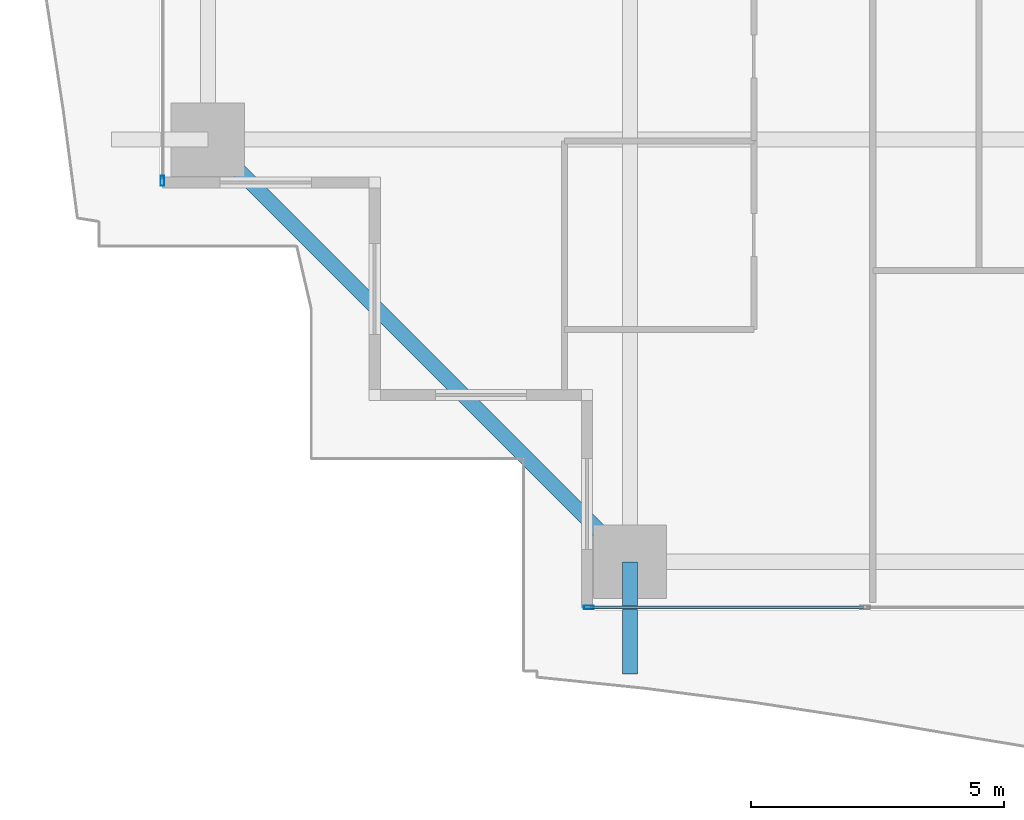
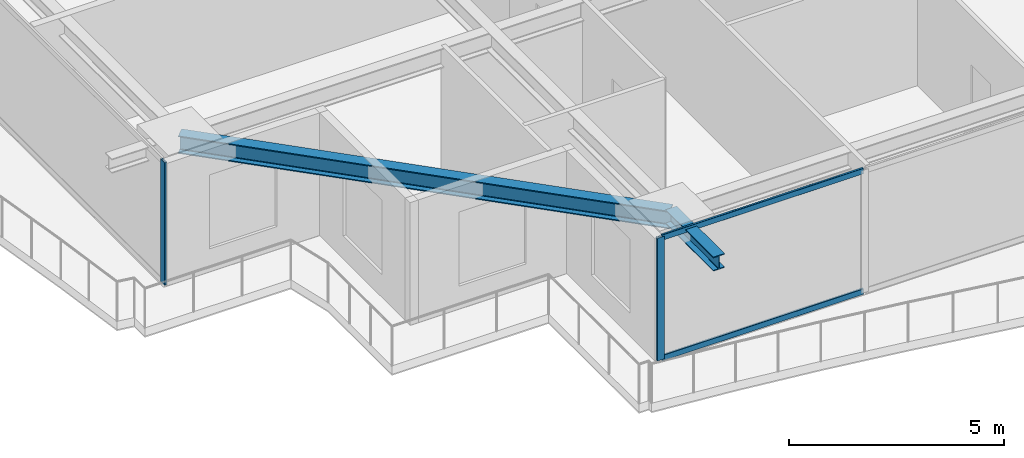
# One storey, part 2 of 39: 4 members, 2 beams, 2 elements without a shape of their own.
"""IFC4 building model written with IfcOpenShell, lengths in metres."""

from ifc_helpers import new_model, si_unit, direction, frame, origin, origin_2d, place, context, subcontext, project, spatial, hollow_rectangle, i_section, extrude, source, transform, mapped, material, layer, layer_set, material_profile, profile_set, type_object, element, aggregate, save


model = new_model("IFC4")

# Units and contexts
model_context = context("Model", 3, precision=1e-05, world=origin(), true_north=direction((0.0, 1.0)))
body_context = subcontext(model_context, "Body", "Model", "MODEL_VIEW")
ifc_project = project(units=[si_unit("LENGTHUNIT", "METRE"), si_unit("AREAUNIT", "SQUARE_METRE"), si_unit("VOLUMEUNIT", "CUBIC_METRE"), si_unit("PLANEANGLEUNIT", "RADIAN"), si_unit("MASSUNIT", "GRAM", prefix="KILO")], contexts=[model_context])

# Site, building, storey
site_placement = place(None, origin())
site = spatial("IfcSite", under=ifc_project, at=site_placement, CompositionType="ELEMENT")
building_placement = place(site_placement, origin())
building = spatial("IfcBuilding", under=site, at=building_placement, Name="Serunith Strait Residences", CompositionType="ELEMENT")
storey_placement = place(building_placement, frame((0.0, 0.0, 60.449951171875)))
storey = spatial("IfcBuildingStorey", under=building, at=storey_placement, Name="L14", CompositionType="ELEMENT", Elevation=60.449951171875)

# Beams
ifc_material_1 = material(Name="Steel S355J2", Category="steel")
ifc_material_profile_1 = material_profile(ifc_material_1, i_section(OverallWidth=0.300048828125, OverallDepth=0.5, WebThickness=0.014404296875, FlangeThickness=0.028076171875, FilletRadius=0.027099609375, at=origin_2d()), Name="HEB 500")
ifc_profile_set_1 = profile_set([ifc_material_profile_1], Name="Steel S355J2")
beam_type_1 = type_object("IfcBeamType", Name="BM-HEB500", PredefinedType="BEAM", material=ifc_profile_set_1)
shared_shape_1 = source(origin(), body_context, "Body", "SweptSolid", [
    extrude(i_section(OverallWidth=0.300048828125, OverallDepth=0.5, WebThickness=0.014404296875, FlangeThickness=0.028076171875, FilletRadius=0.027099609375, at=origin_2d()), origin(), (0.0, 0.0, 1.0), 11.80859375),
])
beam_1_placement = place(storey_placement, frame((6.89990234375, 9.449951171875, 3.20703125), z_axis=(0.707117118476, -0.707096443746, 0.0), x_axis=(0.707096443746, 0.707117118476, 0.0)))
element("IfcBeam", 1, at=beam_1_placement, inside=storey, type_object=beam_type_1, Name="L14 Perimeter Ring Beam 16", PredefinedType="BEAM", context=body_context, shape_type="MappedRepresentation", body=[
    mapped(shared_shape_1, transform((0.0, 0.0, 0.0), scale=1.0)),
])
ifc_material_profile_2 = material_profile(ifc_material_1, i_section(OverallWidth=0.300048828125, OverallDepth=0.39990234375, WebThickness=0.013427734375, FlangeThickness=0.02392578125, FilletRadius=0.027099609375, at=origin_2d()), Name="HEB 400")
ifc_profile_set_2 = profile_set([ifc_material_profile_2], Name="Steel S355J2")
beam_type_2 = type_object("IfcBeamType", Name="BM-HEB400", PredefinedType="BEAM", material=ifc_profile_set_2)
shared_shape_2 = source(origin(), body_context, "Body", "SweptSolid", [
    extrude(i_section(OverallWidth=0.300048828125, OverallDepth=0.39990234375, WebThickness=0.013427734375, FlangeThickness=0.02392578125, FilletRadius=0.027099609375, at=origin_2d()), origin(), (0.0, 0.0, 1.0), 2.21826171875),
])
beam_2_placement = place(storey_placement, frame((15.25, 1.10009765625, 3.257080078125), z_axis=(0.0, -1.0, 0.0), x_axis=(1.0, 0.0, 0.0)))
element("IfcBeam", 2, at=beam_2_placement, inside=storey, type_object=beam_type_2, Name="L15 Cantilevered Balcony Rib TC-S1", PredefinedType="BEAM", context=body_context, shape_type="MappedRepresentation", body=[
    mapped(shared_shape_2, transform((0.0, 0.0, 0.0), scale=1.0)),
])

# Curtain wall, member
ifc_material_2 = material(Name="Pale-Champagne Anodised Aluminium", Category="aluminium")
ifc_layer = layer(ifc_material_2, 0.199951171875, Name="Pale-Champagne Anodised Aluminium")
ifc_layer_set = layer_set([ifc_layer], Name="Pale-Champagne Anodised Aluminium")
curtain_wall_type = type_object("IfcCurtainWallType", Name="CW-SYS1", PredefinedType="NOTDEFINED", material=ifc_layer_set)
curtain_wall_1_placement = place(storey_placement, origin())
curtain_wall_1 = element("IfcCurtainWall", 3, at=curtain_wall_1_placement, inside=storey, type_object=curtain_wall_type, Name="L14 S Unitised Fritted Curtain Wall", PredefinedType="NOTDEFINED")
ifc_material_profile_3 = material_profile(ifc_material_2, hollow_rectangle(XDim=0.070068359375, YDim=0.199951171875, WallThickness=0.00390625, InnerFilletRadius=0.006103515625, OuterFilletRadius=0.010009765625, at=origin_2d()), Name="ALU 200x70x4")
ifc_profile_set_3 = profile_set([ifc_material_profile_3], Name="Pale-Champagne Anodised Aluminium")
member_type_1 = type_object("IfcMemberType", Name="CW-SYS1-MULL", PredefinedType="MULLION", material=ifc_profile_set_3)
shared_shape_3 = source(origin(), body_context, "Body", "SweptSolid", [
    extrude(hollow_rectangle(XDim=0.070068359375, YDim=0.199951171875, WallThickness=0.00390625, InnerFilletRadius=0.006103515625, OuterFilletRadius=0.010009765625, at=origin_2d()), origin(), (0.0, 0.0, 1.0), 3.47509765625),
])
member_1_placement = place(storey_placement, frame((14.43505859375, 0.199951171875, 0.0), z_axis=(0.0, 0.0, 1.0), x_axis=(0.0, 1.0, 0.0)))
member_1 = element("IfcMember", 4, at=member_1_placement, type_object=member_type_1, Name="CW-1 mullion 1", PredefinedType="MULLION", context=body_context, shape_type="MappedRepresentation", body=[
    mapped(shared_shape_3, transform((0.0, 0.0, 0.0), scale=1.0)),
])

curtain_wall_2_placement = place(storey_placement, origin())
curtain_wall_2 = element("IfcCurtainWall", 5, at=curtain_wall_2_placement, inside=storey, type_object=curtain_wall_type, Name="L14 W Unitised Fritted Curtain Wall", PredefinedType="NOTDEFINED")
member_2_placement = place(storey_placement, frame((6.0, 8.635009765625, 0.0), z_axis=(0.0, 0.0, 1.0), x_axis=(1.0, 0.0, 0.0)))
member_2 = element("IfcMember", 6, at=member_2_placement, type_object=member_type_1, Name="CW-1 mullion 2", PredefinedType="MULLION", context=body_context, shape_type="MappedRepresentation", body=[
    mapped(shared_shape_3, transform((0.0, 0.0, 0.0), scale=1.0)),
])
aggregate(curtain_wall_2, [member_2])

# Member
ifc_material_profile_4 = material_profile(ifc_material_2, hollow_rectangle(XDim=0.06005859375, YDim=0.159912109375, WallThickness=0.00341796875, InnerFilletRadius=0.00537109375, OuterFilletRadius=0.0087890625, at=origin_2d()), Name="ALU 160x60x3.5")
ifc_profile_set_4 = profile_set([ifc_material_profile_4], Name="Pale-Champagne Anodised Aluminium")
member_type_2 = type_object("IfcMemberType", Name="CW-SYS1-TRAN", PredefinedType="USERDEFINED", material=ifc_profile_set_4)
shared_shape_4 = source(origin(), body_context, "Body", "SweptSolid", [
    extrude(hollow_rectangle(XDim=0.06005859375, YDim=0.159912109375, WallThickness=0.00341796875, InnerFilletRadius=0.00537109375, OuterFilletRadius=0.0087890625, at=origin_2d()), origin(), (0.0, 0.0, 1.0), 5.39501953125),
])
member_3_placement = place(storey_placement, frame((14.469970703125, 0.199951171875, 0.030029296875), z_axis=(1.0, 0.0, 0.0), x_axis=(0.0, 1.0, 0.0)))
member_3 = element("IfcMember", 7, at=member_3_placement, type_object=member_type_2, Name="CW-1 transom 1.1", ObjectType="TRANSOM", PredefinedType="USERDEFINED", context=body_context, shape_type="MappedRepresentation", body=[
    mapped(shared_shape_4, transform((0.0, 0.0, 0.0), scale=1.0)),
])

member_4_placement = place(storey_placement, frame((14.469970703125, 0.199951171875, 3.445068359375), z_axis=(1.0, 0.0, 0.0), x_axis=(0.0, 1.0, 0.0)))
member_4 = element("IfcMember", 8, at=member_4_placement, type_object=member_type_2, Name="CW-1 transom 1.2", ObjectType="TRANSOM", PredefinedType="USERDEFINED", context=body_context, shape_type="MappedRepresentation", body=[
    mapped(shared_shape_4, transform((0.0, 0.0, 0.0), scale=1.0)),
])

aggregate(curtain_wall_1, [member_1, member_3, member_4])

save(model, "model.ifc")
